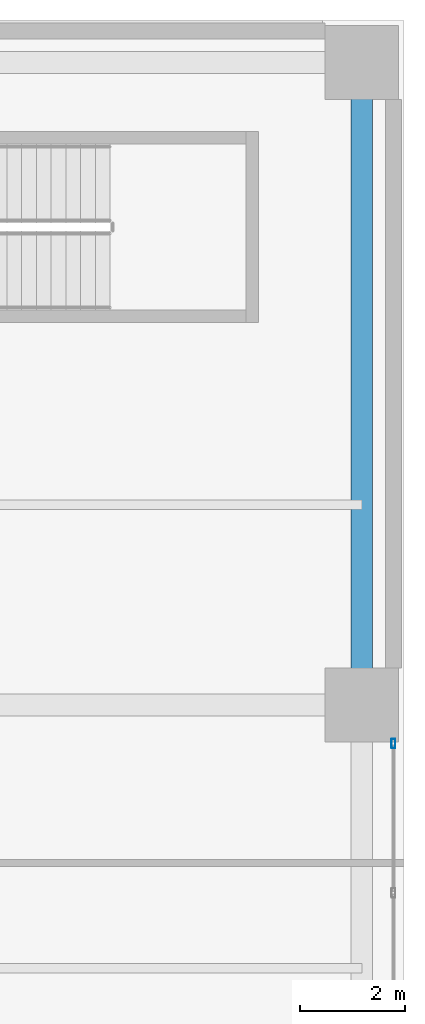
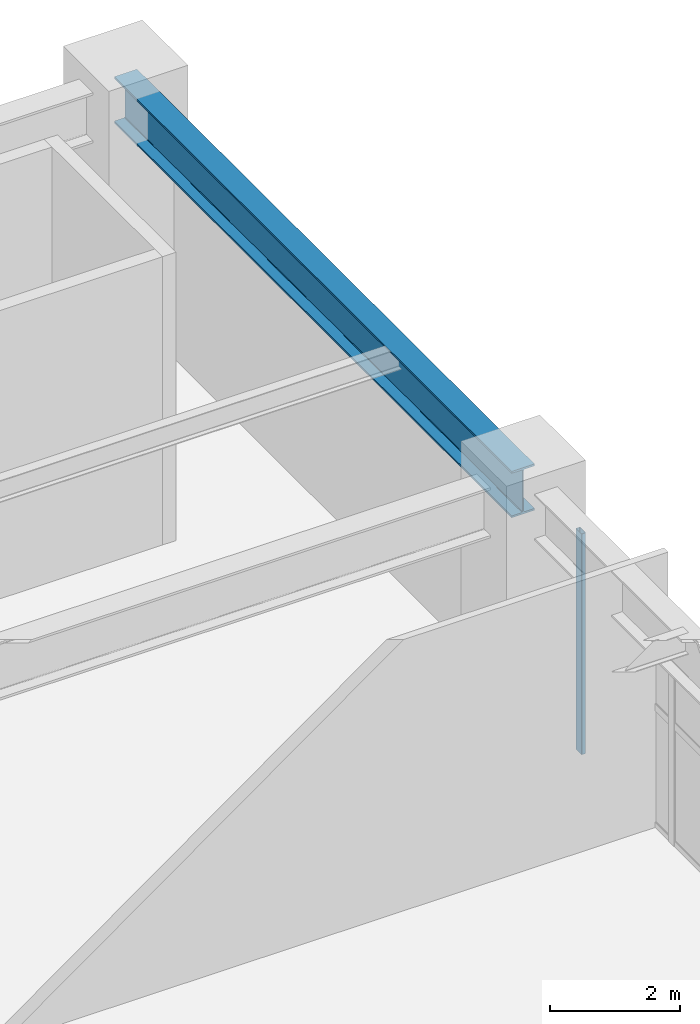
# One storey, part 18 of 28: 1 beam, 1 member, 1 element without a shape of its own.
"""IFC4 building model written with IfcOpenShell, lengths in metres."""

from ifc_helpers import new_model, si_unit, direction, frame, origin, origin_2d, place, context, subcontext, project, spatial, hollow_rectangle, i_section, extrude, material, layer, layer_set, material_profile, profile_set, type_object, element, aggregate, save


model = new_model("IFC4")

# Units and contexts
model_context = context("Model", 3, precision=1e-05, world=origin(), true_north=direction((0.0, 1.0)))
body_context = subcontext(model_context, "Body", "Model", "MODEL_VIEW")
ifc_project = project(units=[si_unit("LENGTHUNIT", "METRE"), si_unit("AREAUNIT", "SQUARE_METRE"), si_unit("VOLUMEUNIT", "CUBIC_METRE"), si_unit("PLANEANGLEUNIT", "RADIAN"), si_unit("MASSUNIT", "GRAM", prefix="KILO")], contexts=[model_context])

# Site, building, storey
site_placement = place(None, origin())
site = spatial("IfcSite", under=ifc_project, at=site_placement, CompositionType="ELEMENT")
building_placement = place(site_placement, origin())
building = spatial("IfcBuilding", under=site, at=building_placement, Name="Soratama Intermodal Tower", CompositionType="ELEMENT")
storey_placement = place(building_placement, frame((0.0, 0.0, 6.0)))
storey = spatial("IfcBuildingStorey", under=building, at=storey_placement, Name="L01", CompositionType="ELEMENT", Elevation=6.0)

# Beam
ifc_material_1 = material(Name="Structural steel ASTM A992 Grade 50", Category="steel")
ifc_material_profile_1 = material_profile(ifc_material_1, i_section(OverallWidth=0.403076171875, OverallDepth=0.867919921875, WebThickness=0.02099609375, FlangeThickness=0.03564453125, FilletRadius=0.01806640625, at=origin_2d()), Name="W33X241")
ifc_profile_set_1 = profile_set([ifc_material_profile_1], Name="Structural steel ASTM A992 Grade 50")
beam_type = type_object("IfcBeamType", Name="BM-POD-EXT-W33", PredefinedType="BEAM", material=ifc_profile_set_1)
beam_placement = place(storey_placement, frame((83.199951171875, 35.0, 4.64599609375), z_axis=(0.0, 1.0, 0.0), x_axis=(-1.0, 0.0, 0.0)))
element("IfcBeam", 1, at=beam_placement, inside=storey, type_object=beam_type, Name="L01 Station Girder Y4-4", PredefinedType="BEAM", context=body_context, shape_type="SweptSolid", body=[
    extrude(i_section(OverallWidth=0.403076171875, OverallDepth=0.867919921875, WebThickness=0.02099609375, FlangeThickness=0.03564453125, FilletRadius=0.01806640625, at=origin_2d()), origin(), (0.0, 0.0, 1.0), 12.199951171875),
])

# Curtain wall, member
ifc_material_2 = material(Name="Double-glazed aluminium curtain wall", Category="aluminium")
ifc_layer = layer(ifc_material_2, 0.159912109375)
ifc_layer_set = layer_set([ifc_layer], Name="Double-glazed aluminium curtain wall")
curtain_wall_type = type_object("IfcCurtainWallType", Name="CW-SYS-1", PredefinedType="NOTDEFINED", material=ifc_layer_set)
curtain_wall_placement = place(storey_placement, origin())
curtain_wall = element("IfcCurtainWall", 2, at=curtain_wall_placement, inside=storey, type_object=curtain_wall_type, Name="L01 Station Curtain Wall E2", PredefinedType="NOTDEFINED")
ifc_material_3 = material(Name="Anodised aluminium AA 6063-T6", Category="aluminium")
ifc_material_profile_2 = material_profile(ifc_material_3, hollow_rectangle(XDim=0.074951171875, YDim=0.179931640625, WallThickness=0.006103515625, InnerFilletRadius=0.006103515625, OuterFilletRadius=0.011962890625, at=origin_2d()), Name="CWM180X75X6")
ifc_profile_set_2 = profile_set([ifc_material_profile_2], Name="Anodised aluminium AA 6063-T6")
member_type = type_object("IfcMemberType", Name="MT-CWM-1", PredefinedType="MULLION", material=ifc_profile_set_2)
member_placement = place(storey_placement, frame((83.800048828125, 34.27001953125, 0.0), z_axis=(0.0, 0.0, 1.0), x_axis=(-1.0, 0.0, 0.0)))
member = element("IfcMember", 3, at=member_placement, type_object=member_type, Name="CW-1 mullion 4", PredefinedType="MULLION", context=body_context, shape_type="SweptSolid", body=[
    extrude(hollow_rectangle(XDim=0.074951171875, YDim=0.179931640625, WallThickness=0.006103515625, InnerFilletRadius=0.006103515625, OuterFilletRadius=0.011962890625, at=origin_2d()), origin(), (0.0, 0.0, 1.0), 4.135986328125),
])
aggregate(curtain_wall, [member])

save(model, "model.ifc")
